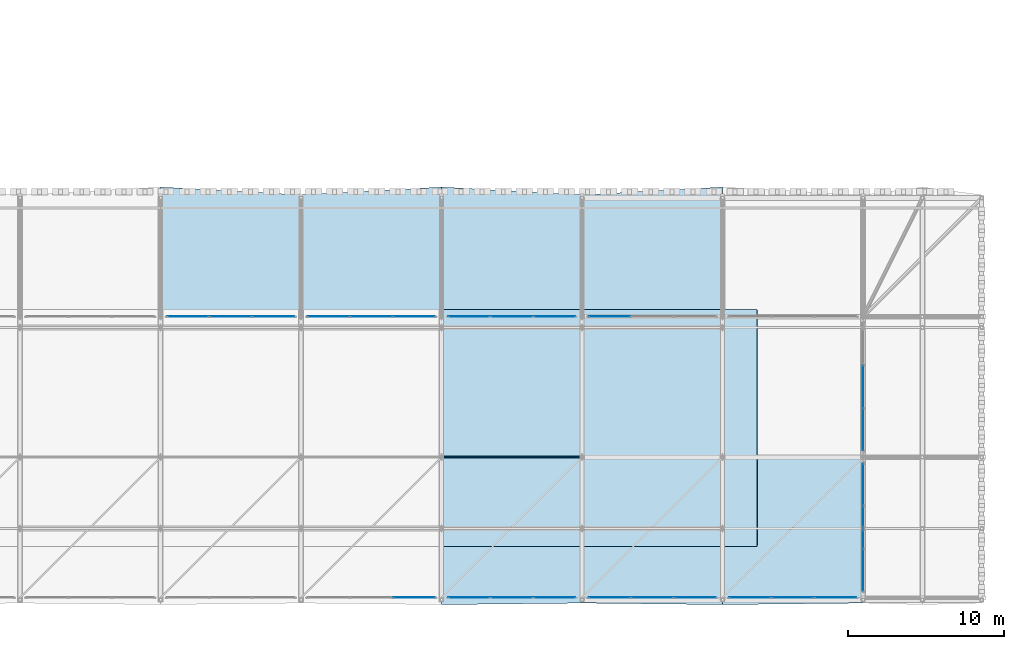
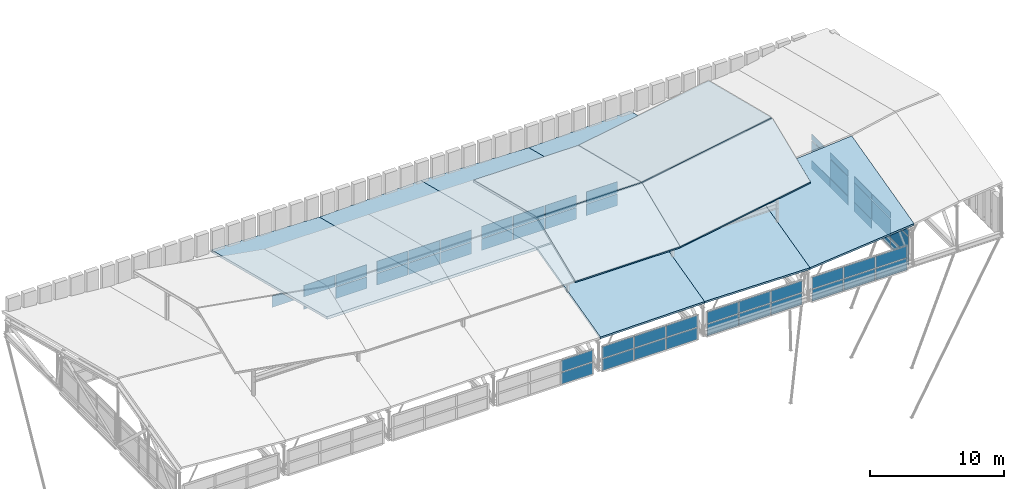
# One storey, part 32 of 42: 54 plates, 11 slabs, 10 elements without a shape of their own.
"""IFC4 building model written with IfcOpenShell, lengths in metres."""

from ifc_helpers import new_model, si_unit, direction, frame, origin, origin_2d, place, context, subcontext, project, spatial, polyline, rectangle, outline, extrude, material, layer, layer_set, type_object, element, aggregate, save


model = new_model("IFC4")

# Units and contexts
model_context = context("Model", 3, precision=1e-05, world=origin(), true_north=direction((0.0, 1.0)))
body_context = subcontext(model_context, "Body", "Model", "MODEL_VIEW")
ifc_project = project(units=[si_unit("LENGTHUNIT", "METRE"), si_unit("AREAUNIT", "SQUARE_METRE"), si_unit("VOLUMEUNIT", "CUBIC_METRE"), si_unit("PLANEANGLEUNIT", "RADIAN"), si_unit("MASSUNIT", "GRAM", prefix="KILO")], contexts=[model_context])

# Site, building, storey
site_placement = place(None, origin())
site = spatial("IfcSite", under=ifc_project, at=site_placement, CompositionType="ELEMENT")
building_placement = place(site_placement, origin())
building = spatial("IfcBuilding", under=site, at=building_placement, Name="Bozkorgan Art Gallery", CompositionType="ELEMENT")
storey_placement = place(building_placement, frame((0.0, 0.0, 28.800048828125)))
storey = spatial("IfcBuildingStorey", under=building, at=storey_placement, Name="RF", CompositionType="ELEMENT", Elevation=28.800048828125)

# Curtain wall, plates
ifc_material_1 = material(Name="Anodised Bronze Aluminium", Category="aluminium")
curtain_wall_type_1 = type_object("IfcCurtainWallType", Name="CW-CW-28", PredefinedType="NOTDEFINED", material=ifc_material_1)
curtain_wall_1_placement = place(storey_placement, origin())
curtain_wall_1 = element("IfcCurtainWall", 1, at=curtain_wall_1_placement, inside=storey, type_object=curtain_wall_type_1, Name="RF unitised curtain wall CW-RF-V1-N-20", PredefinedType="NOTDEFINED")
ifc_material_2 = material(Name="Triple Low-E Laminated Glass", Category="glass")
ifc_layer_1 = layer(ifc_material_2, 0.0439453125, Name="Triple Low-E Laminated Glass")
ifc_layer_set_1 = layer_set([ifc_layer_1], Name="Triple Low-E Laminated Glass")
plate_type = type_object("IfcPlateType", Name="CWP-GLZ", PredefinedType="CURTAIN_PANEL", material=ifc_layer_set_1)
plate_1_placement = place(storey_placement, frame((21.75634765625, 20.0, 0.87548828125), z_axis=(0.0, 0.0, 1.0), x_axis=(1.0, 0.0, 0.0)))
plate_1 = element("IfcPlate", 2, at=plate_1_placement, type_object=plate_type, Name="CW-28 panel 1.2", PredefinedType="CURTAIN_PANEL", context=body_context, shape_type="SweptSolid", body=[
    extrude(rectangle(XDim=2.66259765625, YDim=0.0439453125, at=origin_2d()), origin(), (0.0, 0.0, 1.0), 1.049560546875),
])
plate_2_placement = place(storey_placement, frame((24.5, 20.0, -0.25), z_axis=(0.0, 0.0, 1.0), x_axis=(1.0, 0.0, 0.0)))
plate_2 = element("IfcPlate", 3, at=plate_2_placement, type_object=plate_type, Name="CW-28 panel 2.1", PredefinedType="CURTAIN_PANEL", context=body_context, shape_type="SweptSolid", body=[
    extrude(rectangle(XDim=2.695068359375, YDim=0.0439453125, at=origin_2d()), origin(), (0.0, 0.0, 1.0), 1.050537109375),
])
plate_3_placement = place(storey_placement, frame((24.5, 20.0, 0.87548828125), z_axis=(0.0, 0.0, 1.0), x_axis=(1.0, 0.0, 0.0)))
plate_3 = element("IfcPlate", 4, at=plate_3_placement, type_object=plate_type, Name="CW-28 panel 2.2", PredefinedType="CURTAIN_PANEL", context=body_context, shape_type="SweptSolid", body=[
    extrude(rectangle(XDim=2.695068359375, YDim=0.0439453125, at=origin_2d()), origin(), (0.0, 0.0, 1.0), 1.049560546875),
])
plate_4_placement = place(storey_placement, frame((27.24365234375, 20.0, -0.25), z_axis=(0.0, 0.0, 1.0), x_axis=(1.0, 0.0, 0.0)))
plate_4 = element("IfcPlate", 5, at=plate_4_placement, type_object=plate_type, Name="CW-28 panel 3.1", PredefinedType="CURTAIN_PANEL", context=body_context, shape_type="SweptSolid", body=[
    extrude(rectangle(XDim=2.66259765625, YDim=0.0439453125, at=origin_2d()), origin(), (0.0, 0.0, 1.0), 1.050537109375),
])
plate_5_placement = place(storey_placement, frame((27.24365234375, 20.0, 0.87548828125), z_axis=(0.0, 0.0, 1.0), x_axis=(1.0, 0.0, 0.0)))
plate_5 = element("IfcPlate", 6, at=plate_5_placement, type_object=plate_type, Name="CW-28 panel 3.2", PredefinedType="CURTAIN_PANEL", context=body_context, shape_type="SweptSolid", body=[
    extrude(rectangle(XDim=2.66259765625, YDim=0.0439453125, at=origin_2d()), origin(), (0.0, 0.0, 1.0), 1.049560546875),
])
aggregate(curtain_wall_1, [plate_1, plate_2, plate_3, plate_4, plate_5])

curtain_wall_2_placement = place(storey_placement, origin())
curtain_wall_2 = element("IfcCurtainWall", 7, at=curtain_wall_2_placement, inside=storey, type_object=curtain_wall_type_1, Name="RF unitised curtain wall CW-RF-V1-S-29", PredefinedType="NOTDEFINED")
plate_6_placement = place(storey_placement, frame((36.24365234375, 2.0, -0.25), z_axis=(0.0, 0.0, 1.0), x_axis=(1.0, 0.0, 0.0)))
plate_6 = element("IfcPlate", 8, at=plate_6_placement, type_object=plate_type, Name="CW-28 panel 3.1", PredefinedType="CURTAIN_PANEL", context=body_context, shape_type="SweptSolid", body=[
    extrude(rectangle(XDim=2.66259765625, YDim=0.0439453125, at=origin_2d()), origin(), (0.0, 0.0, 1.0), 1.050537109375),
])
plate_7_placement = place(storey_placement, frame((36.24365234375, 2.0, 0.87548828125), z_axis=(0.0, 0.0, 1.0), x_axis=(1.0, 0.0, 0.0)))
plate_7 = element("IfcPlate", 9, at=plate_7_placement, type_object=plate_type, Name="CW-28 panel 3.2", PredefinedType="CURTAIN_PANEL", context=body_context, shape_type="SweptSolid", body=[
    extrude(rectangle(XDim=2.66259765625, YDim=0.0439453125, at=origin_2d()), origin(), (0.0, 0.0, 1.0), 1.049560546875),
])
aggregate(curtain_wall_2, [plate_6, plate_7])

curtain_wall_3_placement = place(storey_placement, origin())
curtain_wall_3 = element("IfcCurtainWall", 10, at=curtain_wall_3_placement, inside=storey, type_object=curtain_wall_type_1, Name="RF unitised curtain wall CW-RF-V1-N-29", PredefinedType="NOTDEFINED")
plate_8_placement = place(storey_placement, frame((30.75634765625, 20.0, -0.25), z_axis=(0.0, 0.0, 1.0), x_axis=(1.0, 0.0, 0.0)))
plate_8 = element("IfcPlate", 11, at=plate_8_placement, type_object=plate_type, Name="CW-28 panel 1.1", PredefinedType="CURTAIN_PANEL", context=body_context, shape_type="SweptSolid", body=[
    extrude(rectangle(XDim=2.66259765625, YDim=0.0439453125, at=origin_2d()), origin(), (0.0, 0.0, 1.0), 1.050537109375),
])
plate_9_placement = place(storey_placement, frame((30.75634765625, 20.0, 0.87548828125), z_axis=(0.0, 0.0, 1.0), x_axis=(1.0, 0.0, 0.0)))
plate_9 = element("IfcPlate", 12, at=plate_9_placement, type_object=plate_type, Name="CW-28 panel 1.2", PredefinedType="CURTAIN_PANEL", context=body_context, shape_type="SweptSolid", body=[
    extrude(rectangle(XDim=2.66259765625, YDim=0.0439453125, at=origin_2d()), origin(), (0.0, 0.0, 1.0), 1.049560546875),
])
plate_10_placement = place(storey_placement, frame((33.5, 20.0, -0.25), z_axis=(0.0, 0.0, 1.0), x_axis=(1.0, 0.0, 0.0)))
plate_10 = element("IfcPlate", 13, at=plate_10_placement, type_object=plate_type, Name="CW-28 panel 2.1", PredefinedType="CURTAIN_PANEL", context=body_context, shape_type="SweptSolid", body=[
    extrude(rectangle(XDim=2.695068359375, YDim=0.0439453125, at=origin_2d()), origin(), (0.0, 0.0, 1.0), 1.050537109375),
])
plate_11_placement = place(storey_placement, frame((33.5, 20.0, 0.87548828125), z_axis=(0.0, 0.0, 1.0), x_axis=(1.0, 0.0, 0.0)))
plate_11 = element("IfcPlate", 14, at=plate_11_placement, type_object=plate_type, Name="CW-28 panel 2.2", PredefinedType="CURTAIN_PANEL", context=body_context, shape_type="SweptSolid", body=[
    extrude(rectangle(XDim=2.695068359375, YDim=0.0439453125, at=origin_2d()), origin(), (0.0, 0.0, 1.0), 1.049560546875),
])
plate_12_placement = place(storey_placement, frame((36.24365234375, 20.0, -0.25), z_axis=(0.0, 0.0, 1.0), x_axis=(1.0, 0.0, 0.0)))
plate_12 = element("IfcPlate", 15, at=plate_12_placement, type_object=plate_type, Name="CW-28 panel 3.1", PredefinedType="CURTAIN_PANEL", context=body_context, shape_type="SweptSolid", body=[
    extrude(rectangle(XDim=2.66259765625, YDim=0.0439453125, at=origin_2d()), origin(), (0.0, 0.0, 1.0), 1.050537109375),
])
plate_13_placement = place(storey_placement, frame((36.24365234375, 20.0, 0.87548828125), z_axis=(0.0, 0.0, 1.0), x_axis=(1.0, 0.0, 0.0)))
plate_13 = element("IfcPlate", 16, at=plate_13_placement, type_object=plate_type, Name="CW-28 panel 3.2", PredefinedType="CURTAIN_PANEL", context=body_context, shape_type="SweptSolid", body=[
    extrude(rectangle(XDim=2.66259765625, YDim=0.0439453125, at=origin_2d()), origin(), (0.0, 0.0, 1.0), 1.049560546875),
])
aggregate(curtain_wall_3, [plate_8, plate_9, plate_10, plate_11, plate_12, plate_13])

curtain_wall_4_placement = place(storey_placement, origin())
curtain_wall_4 = element("IfcCurtainWall", 17, at=curtain_wall_4_placement, inside=storey, type_object=curtain_wall_type_1, Name="RF unitised curtain wall CW-RF-V1-S-38", PredefinedType="NOTDEFINED")
plate_14_placement = place(storey_placement, frame((39.75634765625, 2.0, -0.25), z_axis=(0.0, 0.0, 1.0), x_axis=(1.0, 0.0, 0.0)))
plate_14 = element("IfcPlate", 18, at=plate_14_placement, type_object=plate_type, Name="CW-28 panel 1.1", PredefinedType="CURTAIN_PANEL", context=body_context, shape_type="SweptSolid", body=[
    extrude(rectangle(XDim=2.66259765625, YDim=0.0439453125, at=origin_2d()), origin(), (0.0, 0.0, 1.0), 1.050537109375),
])
plate_15_placement = place(storey_placement, frame((39.75634765625, 2.0, 0.87548828125), z_axis=(0.0, 0.0, 1.0), x_axis=(1.0, 0.0, 0.0)))
plate_15 = element("IfcPlate", 19, at=plate_15_placement, type_object=plate_type, Name="CW-28 panel 1.2", PredefinedType="CURTAIN_PANEL", context=body_context, shape_type="SweptSolid", body=[
    extrude(rectangle(XDim=2.66259765625, YDim=0.0439453125, at=origin_2d()), origin(), (0.0, 0.0, 1.0), 1.049560546875),
])
plate_16_placement = place(storey_placement, frame((42.5, 2.0, -0.25), z_axis=(0.0, 0.0, 1.0), x_axis=(1.0, 0.0, 0.0)))
plate_16 = element("IfcPlate", 20, at=plate_16_placement, type_object=plate_type, Name="CW-28 panel 2.1", PredefinedType="CURTAIN_PANEL", context=body_context, shape_type="SweptSolid", body=[
    extrude(rectangle(XDim=2.695068359375, YDim=0.0439453125, at=origin_2d()), origin(), (0.0, 0.0, 1.0), 1.050537109375),
])
plate_17_placement = place(storey_placement, frame((42.5, 2.0, 0.87548828125), z_axis=(0.0, 0.0, 1.0), x_axis=(1.0, 0.0, 0.0)))
plate_17 = element("IfcPlate", 21, at=plate_17_placement, type_object=plate_type, Name="CW-28 panel 2.2", PredefinedType="CURTAIN_PANEL", context=body_context, shape_type="SweptSolid", body=[
    extrude(rectangle(XDim=2.695068359375, YDim=0.0439453125, at=origin_2d()), origin(), (0.0, 0.0, 1.0), 1.049560546875),
])
plate_18_placement = place(storey_placement, frame((45.24365234375, 2.0, -0.25), z_axis=(0.0, 0.0, 1.0), x_axis=(1.0, 0.0, 0.0)))
plate_18 = element("IfcPlate", 22, at=plate_18_placement, type_object=plate_type, Name="CW-28 panel 3.1", PredefinedType="CURTAIN_PANEL", context=body_context, shape_type="SweptSolid", body=[
    extrude(rectangle(XDim=2.66259765625, YDim=0.0439453125, at=origin_2d()), origin(), (0.0, 0.0, 1.0), 1.050537109375),
])
plate_19_placement = place(storey_placement, frame((45.24365234375, 2.0, 0.87548828125), z_axis=(0.0, 0.0, 1.0), x_axis=(1.0, 0.0, 0.0)))
plate_19 = element("IfcPlate", 23, at=plate_19_placement, type_object=plate_type, Name="CW-28 panel 3.2", PredefinedType="CURTAIN_PANEL", context=body_context, shape_type="SweptSolid", body=[
    extrude(rectangle(XDim=2.66259765625, YDim=0.0439453125, at=origin_2d()), origin(), (0.0, 0.0, 1.0), 1.049560546875),
])
aggregate(curtain_wall_4, [plate_14, plate_15, plate_16, plate_17, plate_18, plate_19])

curtain_wall_5_placement = place(storey_placement, origin())
curtain_wall_5 = element("IfcCurtainWall", 24, at=curtain_wall_5_placement, inside=storey, type_object=curtain_wall_type_1, Name="RF unitised curtain wall CW-RF-V1-N-38", PredefinedType="NOTDEFINED")
plate_20_placement = place(storey_placement, frame((39.75634765625, 20.0, -0.25), z_axis=(0.0, 0.0, 1.0), x_axis=(1.0, 0.0, 0.0)))
plate_20 = element("IfcPlate", 25, at=plate_20_placement, type_object=plate_type, Name="CW-28 panel 1.1", PredefinedType="CURTAIN_PANEL", context=body_context, shape_type="SweptSolid", body=[
    extrude(rectangle(XDim=2.66259765625, YDim=0.0439453125, at=origin_2d()), origin(), (0.0, 0.0, 1.0), 1.050537109375),
])
plate_21_placement = place(storey_placement, frame((39.75634765625, 20.0, 0.87548828125), z_axis=(0.0, 0.0, 1.0), x_axis=(1.0, 0.0, 0.0)))
plate_21 = element("IfcPlate", 26, at=plate_21_placement, type_object=plate_type, Name="CW-28 panel 1.2", PredefinedType="CURTAIN_PANEL", context=body_context, shape_type="SweptSolid", body=[
    extrude(rectangle(XDim=2.66259765625, YDim=0.0439453125, at=origin_2d()), origin(), (0.0, 0.0, 1.0), 1.049560546875),
])
plate_22_placement = place(storey_placement, frame((42.5, 20.0, -0.25), z_axis=(0.0, 0.0, 1.0), x_axis=(1.0, 0.0, 0.0)))
plate_22 = element("IfcPlate", 27, at=plate_22_placement, type_object=plate_type, Name="CW-28 panel 2.1", PredefinedType="CURTAIN_PANEL", context=body_context, shape_type="SweptSolid", body=[
    extrude(rectangle(XDim=2.695068359375, YDim=0.0439453125, at=origin_2d()), origin(), (0.0, 0.0, 1.0), 1.050537109375),
])
plate_23_placement = place(storey_placement, frame((42.5, 20.0, 0.87548828125), z_axis=(0.0, 0.0, 1.0), x_axis=(1.0, 0.0, 0.0)))
plate_23 = element("IfcPlate", 28, at=plate_23_placement, type_object=plate_type, Name="CW-28 panel 2.2", PredefinedType="CURTAIN_PANEL", context=body_context, shape_type="SweptSolid", body=[
    extrude(rectangle(XDim=2.695068359375, YDim=0.0439453125, at=origin_2d()), origin(), (0.0, 0.0, 1.0), 1.049560546875),
])
plate_24_placement = place(storey_placement, frame((45.24365234375, 20.0, -0.25), z_axis=(0.0, 0.0, 1.0), x_axis=(1.0, 0.0, 0.0)))
plate_24 = element("IfcPlate", 29, at=plate_24_placement, type_object=plate_type, Name="CW-28 panel 3.1", PredefinedType="CURTAIN_PANEL", context=body_context, shape_type="SweptSolid", body=[
    extrude(rectangle(XDim=2.66259765625, YDim=0.0439453125, at=origin_2d()), origin(), (0.0, 0.0, 1.0), 1.050537109375),
])
plate_25_placement = place(storey_placement, frame((45.24365234375, 20.0, 0.87548828125), z_axis=(0.0, 0.0, 1.0), x_axis=(1.0, 0.0, 0.0)))
plate_25 = element("IfcPlate", 30, at=plate_25_placement, type_object=plate_type, Name="CW-28 panel 3.2", PredefinedType="CURTAIN_PANEL", context=body_context, shape_type="SweptSolid", body=[
    extrude(rectangle(XDim=2.66259765625, YDim=0.0439453125, at=origin_2d()), origin(), (0.0, 0.0, 1.0), 1.049560546875),
])
aggregate(curtain_wall_5, [plate_20, plate_21, plate_22, plate_23, plate_24, plate_25])

curtain_wall_6_placement = place(storey_placement, origin())
curtain_wall_6 = element("IfcCurtainWall", 31, at=curtain_wall_6_placement, inside=storey, type_object=curtain_wall_type_1, Name="RF unitised curtain wall CW-RF-V1-S-47", PredefinedType="NOTDEFINED")
plate_26_placement = place(storey_placement, frame((48.75634765625, 2.0, -0.25), z_axis=(0.0, 0.0, 1.0), x_axis=(1.0, 0.0, 0.0)))
plate_26 = element("IfcPlate", 32, at=plate_26_placement, type_object=plate_type, Name="CW-28 panel 1.1", PredefinedType="CURTAIN_PANEL", context=body_context, shape_type="SweptSolid", body=[
    extrude(rectangle(XDim=2.66259765625, YDim=0.0439453125, at=origin_2d()), origin(), (0.0, 0.0, 1.0), 1.050537109375),
])
plate_27_placement = place(storey_placement, frame((48.75634765625, 2.0, 0.87548828125), z_axis=(0.0, 0.0, 1.0), x_axis=(1.0, 0.0, 0.0)))
plate_27 = element("IfcPlate", 33, at=plate_27_placement, type_object=plate_type, Name="CW-28 panel 1.2", PredefinedType="CURTAIN_PANEL", context=body_context, shape_type="SweptSolid", body=[
    extrude(rectangle(XDim=2.66259765625, YDim=0.0439453125, at=origin_2d()), origin(), (0.0, 0.0, 1.0), 1.049560546875),
])
plate_28_placement = place(storey_placement, frame((51.5, 2.0, -0.25), z_axis=(0.0, 0.0, 1.0), x_axis=(1.0, 0.0, 0.0)))
plate_28 = element("IfcPlate", 34, at=plate_28_placement, type_object=plate_type, Name="CW-28 panel 2.1", PredefinedType="CURTAIN_PANEL", context=body_context, shape_type="SweptSolid", body=[
    extrude(rectangle(XDim=2.695068359375, YDim=0.0439453125, at=origin_2d()), origin(), (0.0, 0.0, 1.0), 1.050537109375),
])
plate_29_placement = place(storey_placement, frame((51.5, 2.0, 0.87548828125), z_axis=(0.0, 0.0, 1.0), x_axis=(1.0, 0.0, 0.0)))
plate_29 = element("IfcPlate", 35, at=plate_29_placement, type_object=plate_type, Name="CW-28 panel 2.2", PredefinedType="CURTAIN_PANEL", context=body_context, shape_type="SweptSolid", body=[
    extrude(rectangle(XDim=2.695068359375, YDim=0.0439453125, at=origin_2d()), origin(), (0.0, 0.0, 1.0), 1.049560546875),
])
plate_30_placement = place(storey_placement, frame((54.24365234375, 2.0, -0.25), z_axis=(0.0, 0.0, 1.0), x_axis=(1.0, 0.0, 0.0)))
plate_30 = element("IfcPlate", 36, at=plate_30_placement, type_object=plate_type, Name="CW-28 panel 3.1", PredefinedType="CURTAIN_PANEL", context=body_context, shape_type="SweptSolid", body=[
    extrude(rectangle(XDim=2.66259765625, YDim=0.0439453125, at=origin_2d()), origin(), (0.0, 0.0, 1.0), 1.050537109375),
])
plate_31_placement = place(storey_placement, frame((54.24365234375, 2.0, 0.87548828125), z_axis=(0.0, 0.0, 1.0), x_axis=(1.0, 0.0, 0.0)))
plate_31 = element("IfcPlate", 37, at=plate_31_placement, type_object=plate_type, Name="CW-28 panel 3.2", PredefinedType="CURTAIN_PANEL", context=body_context, shape_type="SweptSolid", body=[
    extrude(rectangle(XDim=2.66259765625, YDim=0.0439453125, at=origin_2d()), origin(), (0.0, 0.0, 1.0), 1.049560546875),
])
aggregate(curtain_wall_6, [plate_26, plate_27, plate_28, plate_29, plate_30, plate_31])

curtain_wall_7_placement = place(storey_placement, origin())
curtain_wall_7 = element("IfcCurtainWall", 38, at=curtain_wall_7_placement, inside=storey, type_object=curtain_wall_type_1, Name="RF unitised curtain wall CW-RF-V1-N-47", PredefinedType="NOTDEFINED")
plate_32_placement = place(storey_placement, frame((48.75634765625, 20.0, -0.25), z_axis=(0.0, 0.0, 1.0), x_axis=(1.0, 0.0, 0.0)))
plate_32 = element("IfcPlate", 39, at=plate_32_placement, type_object=plate_type, Name="CW-28 panel 1.1", PredefinedType="CURTAIN_PANEL", context=body_context, shape_type="SweptSolid", body=[
    extrude(rectangle(XDim=2.66259765625, YDim=0.0439453125, at=origin_2d()), origin(), (0.0, 0.0, 1.0), 1.050537109375),
])
plate_33_placement = place(storey_placement, frame((48.75634765625, 20.0, 0.87548828125), z_axis=(0.0, 0.0, 1.0), x_axis=(1.0, 0.0, 0.0)))
plate_33 = element("IfcPlate", 40, at=plate_33_placement, type_object=plate_type, Name="CW-28 panel 1.2", PredefinedType="CURTAIN_PANEL", context=body_context, shape_type="SweptSolid", body=[
    extrude(rectangle(XDim=2.66259765625, YDim=0.0439453125, at=origin_2d()), origin(), (0.0, 0.0, 1.0), 1.049560546875),
])
aggregate(curtain_wall_7, [plate_32, plate_33])

curtain_wall_8_placement = place(storey_placement, origin())
curtain_wall_8 = element("IfcCurtainWall", 41, at=curtain_wall_8_placement, inside=storey, type_object=curtain_wall_type_1, Name="RF unitised curtain wall CW-RF-V1-S-56", PredefinedType="NOTDEFINED")
plate_34_placement = place(storey_placement, frame((57.75634765625, 2.0, -0.25), z_axis=(0.0, 0.0, 1.0), x_axis=(1.0, 0.0, 0.0)))
plate_34 = element("IfcPlate", 42, at=plate_34_placement, type_object=plate_type, Name="CW-28 panel 1.1", PredefinedType="CURTAIN_PANEL", context=body_context, shape_type="SweptSolid", body=[
    extrude(rectangle(XDim=2.66259765625, YDim=0.0439453125, at=origin_2d()), origin(), (0.0, 0.0, 1.0), 1.050537109375),
])
plate_35_placement = place(storey_placement, frame((57.75634765625, 2.0, 0.87548828125), z_axis=(0.0, 0.0, 1.0), x_axis=(1.0, 0.0, 0.0)))
plate_35 = element("IfcPlate", 43, at=plate_35_placement, type_object=plate_type, Name="CW-28 panel 1.2", PredefinedType="CURTAIN_PANEL", context=body_context, shape_type="SweptSolid", body=[
    extrude(rectangle(XDim=2.66259765625, YDim=0.0439453125, at=origin_2d()), origin(), (0.0, 0.0, 1.0), 1.049560546875),
])
plate_36_placement = place(storey_placement, frame((60.5, 2.0, -0.25), z_axis=(0.0, 0.0, 1.0), x_axis=(1.0, 0.0, 0.0)))
plate_36 = element("IfcPlate", 44, at=plate_36_placement, type_object=plate_type, Name="CW-28 panel 2.1", PredefinedType="CURTAIN_PANEL", context=body_context, shape_type="SweptSolid", body=[
    extrude(rectangle(XDim=2.695068359375, YDim=0.0439453125, at=origin_2d()), origin(), (0.0, 0.0, 1.0), 1.050537109375),
])
plate_37_placement = place(storey_placement, frame((60.5, 2.0, 0.87548828125), z_axis=(0.0, 0.0, 1.0), x_axis=(1.0, 0.0, 0.0)))
plate_37 = element("IfcPlate", 45, at=plate_37_placement, type_object=plate_type, Name="CW-28 panel 2.2", PredefinedType="CURTAIN_PANEL", context=body_context, shape_type="SweptSolid", body=[
    extrude(rectangle(XDim=2.695068359375, YDim=0.0439453125, at=origin_2d()), origin(), (0.0, 0.0, 1.0), 1.049560546875),
])
plate_38_placement = place(storey_placement, frame((63.24365234375, 2.0, -0.25), z_axis=(0.0, 0.0, 1.0), x_axis=(1.0, 0.0, 0.0)))
plate_38 = element("IfcPlate", 46, at=plate_38_placement, type_object=plate_type, Name="CW-28 panel 3.1", PredefinedType="CURTAIN_PANEL", context=body_context, shape_type="SweptSolid", body=[
    extrude(rectangle(XDim=2.66259765625, YDim=0.0439453125, at=origin_2d()), origin(), (0.0, 0.0, 1.0), 1.050537109375),
])
plate_39_placement = place(storey_placement, frame((63.24365234375, 2.0, 0.87548828125), z_axis=(0.0, 0.0, 1.0), x_axis=(1.0, 0.0, 0.0)))
plate_39 = element("IfcPlate", 47, at=plate_39_placement, type_object=plate_type, Name="CW-28 panel 3.2", PredefinedType="CURTAIN_PANEL", context=body_context, shape_type="SweptSolid", body=[
    extrude(rectangle(XDim=2.66259765625, YDim=0.0439453125, at=origin_2d()), origin(), (0.0, 0.0, 1.0), 1.049560546875),
])
aggregate(curtain_wall_8, [plate_34, plate_35, plate_36, plate_37, plate_38, plate_39])

curtain_wall_type_2 = type_object("IfcCurtainWallType", Name="CW-CW-62", PredefinedType="NOTDEFINED", material=ifc_material_1)
curtain_wall_9_placement = place(storey_placement, origin())
curtain_wall_9 = element("IfcCurtainWall", 48, at=curtain_wall_9_placement, inside=storey, type_object=curtain_wall_type_2, Name="RF unitised curtain wall CW-RF-V1-E-2", PredefinedType="NOTDEFINED")
plate_40_placement = place(storey_placement, frame((65.0, 3.75634765625, -0.25), z_axis=(0.0, 0.0, 1.0), x_axis=(0.0, 1.0, 0.0)))
plate_40 = element("IfcPlate", 49, at=plate_40_placement, type_object=plate_type, Name="CW-62 panel 1.1", PredefinedType="CURTAIN_PANEL", context=body_context, shape_type="SweptSolid", body=[
    extrude(rectangle(XDim=2.66259765625, YDim=0.0439453125, at=origin_2d()), origin(), (0.0, 0.0, 1.0), 0.78759765625),
])
plate_41_placement = place(storey_placement, frame((65.0, 3.75634765625, 0.6123046875), z_axis=(0.0, 0.0, 1.0), x_axis=(0.0, 1.0, 0.0)))
plate_41 = element("IfcPlate", 50, at=plate_41_placement, type_object=plate_type, Name="CW-62 panel 1.2", PredefinedType="CURTAIN_PANEL", context=body_context, shape_type="SweptSolid", body=[
    extrude(rectangle(XDim=2.66259765625, YDim=0.0439453125, at=origin_2d()), origin(), (0.0, 0.0, 1.0), 1.699951171875),
])
plate_42_placement = place(storey_placement, frame((65.0, 3.75634765625, 2.387451171875), z_axis=(0.0, 0.0, 1.0), x_axis=(0.0, 1.0, 0.0)))
plate_42 = element("IfcPlate", 51, at=plate_42_placement, type_object=plate_type, Name="CW-62 panel 1.3", PredefinedType="CURTAIN_PANEL", context=body_context, shape_type="SweptSolid", body=[
    extrude(rectangle(XDim=2.66259765625, YDim=0.0439453125, at=origin_2d()), origin(), (0.0, 0.0, 1.0), 0.53759765625),
])
plate_43_placement = place(storey_placement, frame((65.0, 6.5, -0.25), z_axis=(0.0, 0.0, 1.0), x_axis=(0.0, 1.0, 0.0)))
plate_43 = element("IfcPlate", 52, at=plate_43_placement, type_object=plate_type, Name="CW-62 panel 2.1", PredefinedType="CURTAIN_PANEL", context=body_context, shape_type="SweptSolid", body=[
    extrude(rectangle(XDim=2.695068359375, YDim=0.0439453125, at=origin_2d()), origin(), (0.0, 0.0, 1.0), 0.78759765625),
])
plate_44_placement = place(storey_placement, frame((65.0, 6.5, 0.6123046875), z_axis=(0.0, 0.0, 1.0), x_axis=(0.0, 1.0, 0.0)))
plate_44 = element("IfcPlate", 53, at=plate_44_placement, type_object=plate_type, Name="CW-62 panel 2.2", PredefinedType="CURTAIN_PANEL", context=body_context, shape_type="SweptSolid", body=[
    extrude(rectangle(XDim=2.695068359375, YDim=0.0439453125, at=origin_2d()), origin(), (0.0, 0.0, 1.0), 1.699951171875),
])
plate_45_placement = place(storey_placement, frame((65.0, 6.5, 2.387451171875), z_axis=(0.0, 0.0, 1.0), x_axis=(0.0, 1.0, 0.0)))
plate_45 = element("IfcPlate", 54, at=plate_45_placement, type_object=plate_type, Name="CW-62 panel 2.3", PredefinedType="CURTAIN_PANEL", context=body_context, shape_type="SweptSolid", body=[
    extrude(rectangle(XDim=2.695068359375, YDim=0.0439453125, at=origin_2d()), origin(), (0.0, 0.0, 1.0), 0.53759765625),
])
plate_46_placement = place(storey_placement, frame((65.0, 9.24365234375, -0.25), z_axis=(0.0, 0.0, 1.0), x_axis=(0.0, 1.0, 0.0)))
plate_46 = element("IfcPlate", 55, at=plate_46_placement, type_object=plate_type, Name="CW-62 panel 3.1", PredefinedType="CURTAIN_PANEL", context=body_context, shape_type="SweptSolid", body=[
    extrude(rectangle(XDim=2.66259765625, YDim=0.0439453125, at=origin_2d()), origin(), (0.0, 0.0, 1.0), 0.78759765625),
])
plate_47_placement = place(storey_placement, frame((65.0, 9.24365234375, 0.6123046875), z_axis=(0.0, 0.0, 1.0), x_axis=(0.0, 1.0, 0.0)))
plate_47 = element("IfcPlate", 56, at=plate_47_placement, type_object=plate_type, Name="CW-62 panel 3.2", PredefinedType="CURTAIN_PANEL", context=body_context, shape_type="SweptSolid", body=[
    extrude(rectangle(XDim=2.66259765625, YDim=0.0439453125, at=origin_2d()), origin(), (0.0, 0.0, 1.0), 1.699951171875),
])
plate_48_placement = place(storey_placement, frame((65.0, 9.24365234375, 2.387451171875), z_axis=(0.0, 0.0, 1.0), x_axis=(0.0, 1.0, 0.0)))
plate_48 = element("IfcPlate", 57, at=plate_48_placement, type_object=plate_type, Name="CW-62 panel 3.3", PredefinedType="CURTAIN_PANEL", context=body_context, shape_type="SweptSolid", body=[
    extrude(rectangle(XDim=2.66259765625, YDim=0.0439453125, at=origin_2d()), origin(), (0.0, 0.0, 1.0), 0.53759765625),
])
aggregate(curtain_wall_9, [plate_40, plate_41, plate_42, plate_43, plate_44, plate_45, plate_46, plate_47, plate_48])

curtain_wall_10_placement = place(storey_placement, origin())
curtain_wall_10 = element("IfcCurtainWall", 58, at=curtain_wall_10_placement, inside=storey, type_object=curtain_wall_type_2, Name="RF unitised curtain wall CW-RF-V1-E-11", PredefinedType="NOTDEFINED")
plate_49_placement = place(storey_placement, frame((65.0, 12.75634765625, -0.25), z_axis=(0.0, 0.0, 1.0), x_axis=(0.0, 1.0, 0.0)))
plate_49 = element("IfcPlate", 59, at=plate_49_placement, type_object=plate_type, Name="CW-62 panel 1.1", PredefinedType="CURTAIN_PANEL", context=body_context, shape_type="SweptSolid", body=[
    extrude(rectangle(XDim=2.66259765625, YDim=0.0439453125, at=origin_2d()), origin(), (0.0, 0.0, 1.0), 0.78759765625),
])
plate_50_placement = place(storey_placement, frame((65.0, 12.75634765625, 0.6123046875), z_axis=(0.0, 0.0, 1.0), x_axis=(0.0, 1.0, 0.0)))
plate_50 = element("IfcPlate", 60, at=plate_50_placement, type_object=plate_type, Name="CW-62 panel 1.2", PredefinedType="CURTAIN_PANEL", context=body_context, shape_type="SweptSolid", body=[
    extrude(rectangle(XDim=2.66259765625, YDim=0.0439453125, at=origin_2d()), origin(), (0.0, 0.0, 1.0), 1.699951171875),
])
plate_51_placement = place(storey_placement, frame((65.0, 12.75634765625, 2.387451171875), z_axis=(0.0, 0.0, 1.0), x_axis=(0.0, 1.0, 0.0)))
plate_51 = element("IfcPlate", 61, at=plate_51_placement, type_object=plate_type, Name="CW-62 panel 1.3", PredefinedType="CURTAIN_PANEL", context=body_context, shape_type="SweptSolid", body=[
    extrude(rectangle(XDim=2.66259765625, YDim=0.0439453125, at=origin_2d()), origin(), (0.0, 0.0, 1.0), 0.53759765625),
])
plate_52_placement = place(storey_placement, frame((65.0, 15.5, -0.25), z_axis=(0.0, 0.0, 1.0), x_axis=(0.0, 1.0, 0.0)))
plate_52 = element("IfcPlate", 62, at=plate_52_placement, type_object=plate_type, Name="CW-62 panel 2.1", PredefinedType="CURTAIN_PANEL", context=body_context, shape_type="SweptSolid", body=[
    extrude(rectangle(XDim=2.695068359375, YDim=0.0439453125, at=origin_2d()), origin(), (0.0, 0.0, 1.0), 0.78759765625),
])
plate_53_placement = place(storey_placement, frame((65.0, 15.5, 0.6123046875), z_axis=(0.0, 0.0, 1.0), x_axis=(0.0, 1.0, 0.0)))
plate_53 = element("IfcPlate", 63, at=plate_53_placement, type_object=plate_type, Name="CW-62 panel 2.2", PredefinedType="CURTAIN_PANEL", context=body_context, shape_type="SweptSolid", body=[
    extrude(rectangle(XDim=2.695068359375, YDim=0.0439453125, at=origin_2d()), origin(), (0.0, 0.0, 1.0), 1.699951171875),
])
plate_54_placement = place(storey_placement, frame((65.0, 15.5, 2.387451171875), z_axis=(0.0, 0.0, 1.0), x_axis=(0.0, 1.0, 0.0)))
plate_54 = element("IfcPlate", 64, at=plate_54_placement, type_object=plate_type, Name="CW-62 panel 2.3", PredefinedType="CURTAIN_PANEL", context=body_context, shape_type="SweptSolid", body=[
    extrude(rectangle(XDim=2.695068359375, YDim=0.0439453125, at=origin_2d()), origin(), (0.0, 0.0, 1.0), 0.53759765625),
])
aggregate(curtain_wall_10, [plate_49, plate_50, plate_51, plate_52, plate_53, plate_54])

# Slabs
ifc_material_3 = material(Name="Concrete C35/45", Category="concrete")
ifc_layer_2 = layer(ifc_material_3, 0.179931640625, Name="Concrete C35/45")
ifc_layer_set_2 = layer_set([ifc_layer_2], Name="Concrete C35/45")
slab_type_1 = type_object("IfcSlabType", Name="SLAB-RF-25", PredefinedType="ROOF", material=ifc_layer_set_2)
slab_1_placement = place(storey_placement, frame((38.0, 5.27490234375, 6.0068359375), z_axis=(0.0, -0.381921394624, 0.92419481081), x_axis=(1.0, 0.0, 0.0)))
element("IfcSlab", 65, at=slab_1_placement, inside=storey, type_object=slab_type_1, Name="ROOF-V1-MAIN stacked swept-eave roof slab 4S", PredefinedType="ROOF", context=body_context, shape_type="SweptSolid", body=[
    extrude(outline(polyline([(0.0, 0.0), (9.0, 0.0), (9.0, 6.129702305441622), (0.0, 6.129702305441622), (0.0, 0.0)])), origin(), (0.0, 0.0, -1.0), 0.179931640625),
])
slab_2_placement = place(storey_placement, frame((38.0, 11.06005859375, 8.347900390625), z_axis=(0.0, 0.241912292404, 0.970298120571), x_axis=(1.0, 0.0, 0.0)))
element("IfcSlab", 66, at=slab_2_placement, inside=storey, type_object=slab_type_1, Name="ROOF-V1-MAIN stacked swept-eave roof slab 4N", PredefinedType="ROOF", context=body_context, shape_type="SweptSolid", body=[
    extrude(outline(polyline([(0.0, 0.0), (9.0, 0.0), (9.0, 9.677327389440352), (0.0, 9.677327389440352), (0.0, 0.0)])), origin(), (0.0, 0.0, -1.0), 0.179931640625),
])
slab_3_placement = place(storey_placement, frame((47.0, 5.27490234375, 6.0068359375), z_axis=(-0.159656970651, -0.377022318626, 0.912339751946), x_axis=(0.985030922896, 0.0, 0.172377727499)))
element("IfcSlab", 67, at=slab_3_placement, inside=storey, type_object=slab_type_1, Name="ROOF-V1-MAIN stacked swept-eave roof slab 5S", PredefinedType="ROOF", context=body_context, shape_type="SweptSolid", body=[
    extrude(outline(polyline([(0.0, 0.0), (11.370151851620543, -1.1102230246251565e-16), (11.773699221978735, 6.116404162023086), (0.4035473703581922, 6.116404162023086), (0.0, 0.0)])), origin(), (0.0, 0.0, -1.0), 0.179931640625),
])
slab_4_placement = place(storey_placement, frame((47.0, 11.06005859375, 8.347900390625), z_axis=(-0.167403398431, 0.238498543135, 0.956605742778), x_axis=(0.985030922896, 0.0, 0.172377727499)))
element("IfcSlab", 68, at=slab_4_placement, inside=storey, type_object=slab_type_1, Name="ROOF-V1-MAIN stacked swept-eave roof slab 5N", PredefinedType="ROOF", context=body_context, shape_type="SweptSolid", body=[
    extrude(outline(polyline([(0.0, 0.0), (11.370151851620543, 0.0), (10.966604481262351, 9.66890970700882), (-0.4035473703581922, 9.66890970700882), (0.0, 0.0)])), origin(), (0.0, 0.0, -1.0), 0.179931640625),
])
ifc_layer_3 = layer(ifc_material_3, 0.219970703125, Name="Concrete C35/45")
ifc_layer_set_3 = layer_set([ifc_layer_3], Name="Concrete C35/45")
slab_type_2 = type_object("IfcSlabType", Name="SLAB-RF-44", PredefinedType="ROOF", material=ifc_layer_set_3)
slab_5_placement = place(storey_placement, frame((20.0, 11.080078125, 5.580810546875), z_axis=(-1.0200556e-05, 0.245307635348, 0.969445286716), x_axis=(0.999999999948, 2.502274e-06, 9.888881e-06)))
element("IfcSlab", 69, at=slab_5_placement, inside=storey, type_object=slab_type_2, Name="ROOF-V1-MAIN swept-eave pitched roof slab 3N", PredefinedType="ROOF", context=body_context, shape_type="SweptSolid", body=[
    extrude(outline(polyline([(0.0, 0.0), (8.99999999953177, 3.8116482626443515e-21), (9.000000000468233, 17.246922968107405), (-9.364621345560385e-10, 17.762728292826633), (0.0, 0.0)])), origin(), (0.0, 0.0, -1.0), 0.219970703125),
])
slab_6_placement = place(storey_placement, frame((29.0, 11.080078125, 5.580810546875), z_axis=(1.0200556e-05, 0.245307635348, 0.969445286716), x_axis=(0.999999999948, -2.502274e-06, -9.888881e-06)))
element("IfcSlab", 70, at=slab_6_placement, inside=storey, type_object=slab_type_2, Name="ROOF-V1-MAIN swept-eave pitched roof slab 4N", PredefinedType="ROOF", context=body_context, shape_type="SweptSolid", body=[
    extrude(outline(polyline([(0.0, 0.0), (8.99999999953177, -3.8116482626443515e-21), (9.000000000468232, 17.762728292826633), (-9.36462134542486e-10, 17.246922968107405), (0.0, 0.0)])), origin(), (0.0, 0.0, -1.0), 0.219970703125),
])
slab_7_placement = place(storey_placement, frame((38.0, 1.550048828125, 3.209716796875), z_axis=(-6.616048e-06, -0.245316132485, 0.969443136599), x_axis=(0.999934479293, 0.011095731045, 0.002814582247)))
element("IfcSlab", 71, at=slab_7_placement, inside=storey, type_object=slab_type_2, Name="ROOF-V1-MAIN swept-eave pitched roof slab 5S", PredefinedType="ROOF", context=body_context, shape_type="SweptSolid", body=[
    extrude(outline(polyline([(0.0, 0.0), (9.000589725394388, -1.8214596497756474e-17), (9.110049543264077, 9.561569107898434), (0.11063922962529195, 9.664593392541978), (0.0, 0.0)])), origin(), (0.0, 0.0, -1.0), 0.219970703125),
])
slab_8_placement = place(storey_placement, frame((38.0, 11.080078125, 5.580810546875), z_axis=(-1.0200556e-05, 0.245307635348, 0.969445286716), x_axis=(0.999999999948, 2.502274e-06, 9.888881e-06)))
element("IfcSlab", 72, at=slab_8_placement, inside=storey, type_object=slab_type_2, Name="ROOF-V1-MAIN swept-eave pitched roof slab 5N", PredefinedType="ROOF", context=body_context, shape_type="SweptSolid", body=[
    extrude(outline(polyline([(0.0, 0.0), (8.99999999953177, 3.8116482626443515e-21), (9.000000000468233, 17.246922968107405), (-9.364621345560385e-10, 17.762728292826633), (0.0, 0.0)])), origin(), (0.0, 0.0, -1.0), 0.219970703125),
])
slab_9_placement = place(storey_placement, frame((47.0, 1.64990234375, 3.235107421875), z_axis=(6.616048e-06, -0.245316132485, 0.969443136599), x_axis=(0.999934479293, -0.011095731045, -0.002814582247)))
element("IfcSlab", 73, at=slab_9_placement, inside=storey, type_object=slab_type_2, Name="ROOF-V1-MAIN swept-eave pitched roof slab 6S", PredefinedType="ROOF", context=body_context, shape_type="SweptSolid", body=[
    extrude(outline(polyline([(0.0, 0.0), (9.000589725394388, 1.8214596497756474e-17), (8.889950495769096, 9.664593392541976), (-0.1094598178696897, 9.561569107898432), (0.0, 0.0)])), origin(), (0.0, 0.0, -1.0), 0.219970703125),
])
slab_10_placement = place(storey_placement, frame((47.0, 11.080078125, 5.580810546875), z_axis=(1.0200556e-05, 0.245307635348, 0.969445286716), x_axis=(0.999999999948, -2.502274e-06, -9.888881e-06)))
element("IfcSlab", 74, at=slab_10_placement, inside=storey, type_object=slab_type_2, Name="ROOF-V1-MAIN swept-eave pitched roof slab 6N", PredefinedType="ROOF", context=body_context, shape_type="SweptSolid", body=[
    extrude(outline(polyline([(0.0, 0.0), (8.99999999953177, -3.8116482626443515e-21), (9.000000000468232, 17.762728292826633), (-9.36462134542486e-10, 17.246922968107405), (0.0, 0.0)])), origin(), (0.0, 0.0, -1.0), 0.219970703125),
])
slab_11_placement = place(storey_placement, frame((56.0, 1.550048828125, 3.209716796875), z_axis=(-0.08360297752, -0.244457315809, 0.966049254902), x_axis=(0.995971285345, 0.01105173624, 0.08898908862)))
element("IfcSlab", 75, at=slab_11_placement, inside=storey, type_object=slab_type_2, Name="ROOF-V1-MAIN swept-eave pitched roof slab 7S", PredefinedType="ROOF", context=body_context, shape_type="SweptSolid", body=[
    extrude(outline(polyline([(0.0, 0.0), (9.036410078371834, 0.0), (9.347601872434325, 9.55713058005271), (0.3145548373580227, 9.660106714556395), (0.0, 0.0)])), origin(), (0.0, 0.0, -1.0), 0.219970703125),
])

save(model, "model.ifc")
